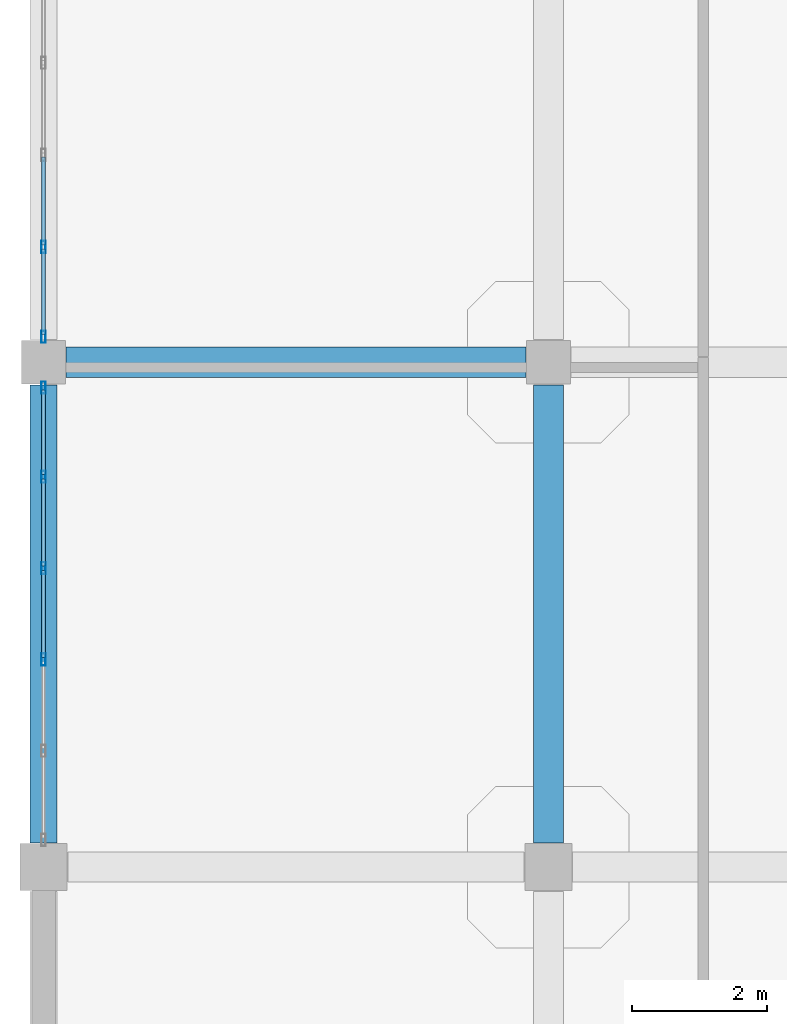
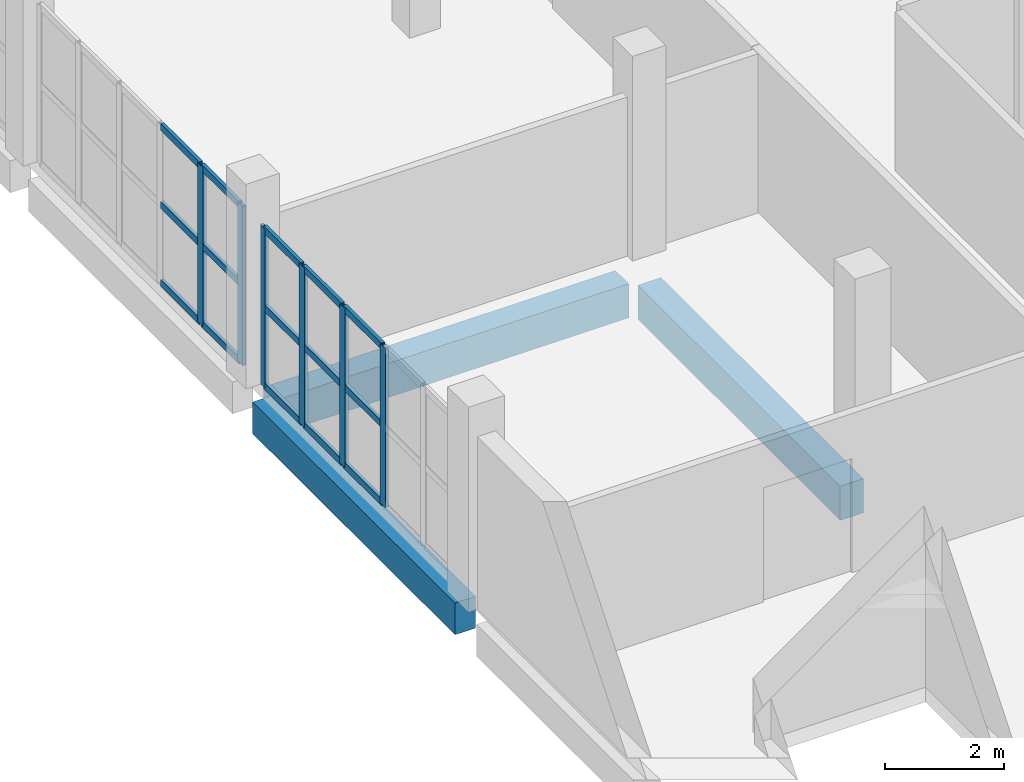
# One storey, part 35 of 164: 21 members, 3 beams, 2 elements without a shape of their own.
"""IFC4 building model written with IfcOpenShell, lengths in metres."""

from ifc_helpers import new_model, si_unit, direction, frame, origin, origin_2d, place, context, subcontext, project, spatial, rectangle, hollow_rectangle, extrude, material, layer, layer_set, material_profile, profile_set, type_object, element, aggregate, save


model = new_model("IFC4")

# Units and contexts
model_context = context("Model", 3, precision=1e-05, world=origin(), true_north=direction((0.0, 1.0)))
body_context = subcontext(model_context, "Body", "Model", "MODEL_VIEW")
ifc_project = project(units=[si_unit("LENGTHUNIT", "METRE"), si_unit("AREAUNIT", "SQUARE_METRE"), si_unit("VOLUMEUNIT", "CUBIC_METRE"), si_unit("PLANEANGLEUNIT", "RADIAN"), si_unit("MASSUNIT", "GRAM", prefix="KILO")], contexts=[model_context])

# Site, building, storey
site_placement = place(None, origin())
site = spatial("IfcSite", under=ifc_project, at=site_placement, CompositionType="ELEMENT")
building_placement = place(site_placement, origin())
building = spatial("IfcBuilding", under=site, at=building_placement, Name="Mawjan Specialist Oncology Clinic", CompositionType="ELEMENT")
storey_placement = place(building_placement, frame((0.0, 0.0, 5.0)))
storey = spatial("IfcBuildingStorey", under=building, at=storey_placement, Name="L01", CompositionType="ELEMENT", Elevation=5.0)

# Beams
ifc_material_1 = material(Name="Concrete C40/50", Category="concrete")
ifc_material_profile_1 = material_profile(ifc_material_1, rectangle(XDim=0.449951171875, YDim=0.699951171875, at=origin_2d()), Name="RC BM 450x700", Category="concrete")
ifc_profile_set_1 = profile_set([ifc_material_profile_1], Name="Concrete C40/50")
beam_type_1 = type_object("IfcBeamType", Name="BM-450x700", PredefinedType="BEAM", material=ifc_profile_set_1)
beam_1_placement = place(storey_placement, frame((0.3349609375, 45.800048828125, -0.8701171875), z_axis=(1.0, 0.0, 0.0), x_axis=(0.0, 1.0, 0.0)))
element("IfcBeam", 1, at=beam_1_placement, inside=storey, type_object=beam_type_1, Name="L01 Collector Beam BM-L01-0256", PredefinedType="BEAM", context=body_context, shape_type="SweptSolid", body=[
    extrude(rectangle(XDim=0.449951171875, YDim=0.699951171875, at=origin_2d()), origin(), (0.0, 0.0, 1.0), 6.830078125),
])
beam_2_placement = place(storey_placement, frame((7.5, 38.659912109375, -0.8701171875), z_axis=(0.0, 1.0, 0.0), x_axis=(-1.0, 0.0, 0.0)))
element("IfcBeam", 2, at=beam_2_placement, inside=storey, type_object=beam_type_1, Name="L01 Collector Beam BM-L01-0432", PredefinedType="BEAM", context=body_context, shape_type="SweptSolid", body=[
    extrude(rectangle(XDim=0.449951171875, YDim=0.699951171875, at=origin_2d()), origin(), (0.0, 0.0, 1.0), 6.80517578125),
])

# Curtain wall, members
ifc_material_2 = material(Name="Unitised spectrally selective aluminium curtain wall", Category="aluminium")
ifc_layer_1 = layer(ifc_material_2, 0.179931640625, Name="Unitised spectrally selective aluminium curtain wall", Category="aluminium")
ifc_layer_set_1 = layer_set([ifc_layer_1], Name="Unitised spectrally selective aluminium curtain wall")
curtain_wall_type_1 = type_object("IfcCurtainWallType", Name="CW-74", PredefinedType="NOTDEFINED", material=ifc_layer_set_1)
curtain_wall_1_placement = place(storey_placement, origin())
curtain_wall_1 = element("IfcCurtainWall", 3, at=curtain_wall_1_placement, inside=storey, type_object=curtain_wall_type_1, Name="L01 Unitised Curtain Wall CW-L01-147", PredefinedType="NOTDEFINED")
ifc_material_3 = material(Name="Thermally broken aluminium 6063-T6", Category="aluminium")
ifc_material_profile_2 = material_profile(ifc_material_3, hollow_rectangle(XDim=0.06494140625, YDim=0.179931640625, WallThickness=0.00390625, at=origin_2d()), Name="ALU MULLION 180x65x4", Category="aluminium")
ifc_profile_set_2 = profile_set([ifc_material_profile_2], Name="Thermally broken aluminium 6063-T6")
member_type_1 = type_object("IfcMemberType", Name="CW-M180", PredefinedType="MULLION", material=ifc_profile_set_2)
member_1_placement = place(storey_placement, frame((0.0, 41.384033203125, 0.0), z_axis=(0.0, 0.0, 1.0), x_axis=(-1.0, 0.0, 0.0)))
member_1 = element("IfcMember", 4, at=member_1_placement, type_object=member_type_1, Name="CW-74 mullion 3", PredefinedType="MULLION", context=body_context, shape_type="SweptSolid", body=[
    extrude(hollow_rectangle(XDim=0.06494140625, YDim=0.179931640625, WallThickness=0.00390625, at=origin_2d()), origin(), (0.0, 0.0, 1.0), 3.264892578125),
])
member_2_placement = place(storey_placement, frame((0.0, 42.740966796875, 0.0), z_axis=(0.0, 0.0, 1.0), x_axis=(-1.0, 0.0, 0.0)))
member_2 = element("IfcMember", 5, at=member_2_placement, type_object=member_type_1, Name="CW-74 mullion 4", PredefinedType="MULLION", context=body_context, shape_type="SweptSolid", body=[
    extrude(hollow_rectangle(XDim=0.06494140625, YDim=0.179931640625, WallThickness=0.00390625, at=origin_2d()), origin(), (0.0, 0.0, 1.0), 3.264892578125),
])
member_3_placement = place(storey_placement, frame((0.0, 44.097900390625, 0.0), z_axis=(0.0, 0.0, 1.0), x_axis=(-1.0, 0.0, 0.0)))
member_3 = element("IfcMember", 6, at=member_3_placement, type_object=member_type_1, Name="CW-74 mullion 5", PredefinedType="MULLION", context=body_context, shape_type="SweptSolid", body=[
    extrude(hollow_rectangle(XDim=0.06494140625, YDim=0.179931640625, WallThickness=0.00390625, at=origin_2d()), origin(), (0.0, 0.0, 1.0), 3.264892578125),
])
member_4_placement = place(storey_placement, frame((0.0, 45.422607421875, 0.0), z_axis=(0.0, 0.0, 1.0), x_axis=(-1.0, 0.0, 0.0)))
member_4 = element("IfcMember", 7, at=member_4_placement, type_object=member_type_1, Name="CW-74 mullion 6", PredefinedType="MULLION", context=body_context, shape_type="SweptSolid", body=[
    extrude(hollow_rectangle(XDim=0.06494140625, YDim=0.179931640625, WallThickness=0.00390625, at=origin_2d()), origin(), (0.0, 0.0, 1.0), 3.264892578125),
])

ifc_material_4 = material(Name="Unitised spectrally selective aluminium curtain wall", Category="aluminium")
ifc_layer_2 = layer(ifc_material_4, 0.179931640625, Name="Unitised spectrally selective aluminium curtain wall", Category="aluminium")
ifc_layer_set_2 = layer_set([ifc_layer_2], Name="Unitised spectrally selective aluminium curtain wall")
curtain_wall_type_2 = type_object("IfcCurtainWallType", Name="CW-75", PredefinedType="NOTDEFINED", material=ifc_layer_set_2)
curtain_wall_2_placement = place(storey_placement, origin())
curtain_wall_2 = element("IfcCurtainWall", 8, at=curtain_wall_2_placement, inside=storey, type_object=curtain_wall_type_2, Name="L01 Unitised Curtain Wall CW-L01-148", PredefinedType="NOTDEFINED")
member_5_placement = place(storey_placement, frame((0.0, 46.177490234375, 0.0), z_axis=(0.0, 0.0, 1.0), x_axis=(-1.0, 0.0, 0.0)))
member_5 = element("IfcMember", 9, at=member_5_placement, type_object=member_type_1, Name="CW-75 mullion 1", PredefinedType="MULLION", context=body_context, shape_type="SweptSolid", body=[
    extrude(hollow_rectangle(XDim=0.06494140625, YDim=0.179931640625, WallThickness=0.00390625, at=origin_2d()), origin(), (0.0, 0.0, 1.0), 3.264892578125),
])
member_6_placement = place(storey_placement, frame((0.0, 47.511962890625, 0.0), z_axis=(0.0, 0.0, 1.0), x_axis=(-1.0, 0.0, 0.0)))
member_6 = element("IfcMember", 10, at=member_6_placement, type_object=member_type_1, Name="CW-75 mullion 2", PredefinedType="MULLION", context=body_context, shape_type="SweptSolid", body=[
    extrude(hollow_rectangle(XDim=0.06494140625, YDim=0.179931640625, WallThickness=0.00390625, at=origin_2d()), origin(), (0.0, 0.0, 1.0), 3.264892578125),
])

# Member
ifc_material_5 = material(Name="Thermally broken aluminium 6063-T6", Category="aluminium")
ifc_material_profile_3 = material_profile(ifc_material_5, hollow_rectangle(XDim=0.06494140625, YDim=0.139892578125, WallThickness=0.00390625, at=origin_2d()), Name="ALU TRANSOM 140x65x4", Category="aluminium")
ifc_profile_set_3 = profile_set([ifc_material_profile_3], Name="Thermally broken aluminium 6063-T6")
member_type_2 = type_object("IfcMemberType", Name="CW-T140", PredefinedType="USERDEFINED", material=ifc_profile_set_3)
member_7_placement = place(storey_placement, frame((0.0, 41.41650390625, 0.032470703125), z_axis=(0.0, 1.0, 0.0), x_axis=(-1.0, 0.0, 0.0)))
member_7 = element("IfcMember", 11, at=member_7_placement, type_object=member_type_2, Name="CW-74 transom 3.1", ObjectType="TRANSOM", PredefinedType="USERDEFINED", context=body_context, shape_type="SweptSolid", body=[
    extrude(hollow_rectangle(XDim=0.06494140625, YDim=0.139892578125, WallThickness=0.00390625, at=origin_2d()), origin(), (0.0, 0.0, 1.0), 1.2919921875),
])

member_8_placement = place(storey_placement, frame((0.0, 41.41650390625, 1.632568359375), z_axis=(0.0, 1.0, 0.0), x_axis=(-1.0, 0.0, 0.0)))
member_8 = element("IfcMember", 12, at=member_8_placement, type_object=member_type_2, Name="CW-74 transom 3.2", ObjectType="TRANSOM", PredefinedType="USERDEFINED", context=body_context, shape_type="SweptSolid", body=[
    extrude(hollow_rectangle(XDim=0.06494140625, YDim=0.139892578125, WallThickness=0.00390625, at=origin_2d()), origin(), (0.0, 0.0, 1.0), 1.2919921875),
])

member_9_placement = place(storey_placement, frame((0.0, 41.41650390625, 3.232421875), z_axis=(0.0, 1.0, 0.0), x_axis=(-1.0, 0.0, 0.0)))
member_9 = element("IfcMember", 13, at=member_9_placement, type_object=member_type_2, Name="CW-74 transom 3.3", ObjectType="TRANSOM", PredefinedType="USERDEFINED", context=body_context, shape_type="SweptSolid", body=[
    extrude(hollow_rectangle(XDim=0.06494140625, YDim=0.139892578125, WallThickness=0.00390625, at=origin_2d()), origin(), (0.0, 0.0, 1.0), 1.2919921875),
])

member_10_placement = place(storey_placement, frame((0.0, 42.7734375, 0.032470703125), z_axis=(0.0, 1.0, 0.0), x_axis=(-1.0, 0.0, 0.0)))
member_10 = element("IfcMember", 14, at=member_10_placement, type_object=member_type_2, Name="CW-74 transom 4.1", ObjectType="TRANSOM", PredefinedType="USERDEFINED", context=body_context, shape_type="SweptSolid", body=[
    extrude(hollow_rectangle(XDim=0.06494140625, YDim=0.139892578125, WallThickness=0.00390625, at=origin_2d()), origin(), (0.0, 0.0, 1.0), 1.2919921875),
])

member_11_placement = place(storey_placement, frame((0.0, 42.7734375, 1.632568359375), z_axis=(0.0, 1.0, 0.0), x_axis=(-1.0, 0.0, 0.0)))
member_11 = element("IfcMember", 15, at=member_11_placement, type_object=member_type_2, Name="CW-74 transom 4.2", ObjectType="TRANSOM", PredefinedType="USERDEFINED", context=body_context, shape_type="SweptSolid", body=[
    extrude(hollow_rectangle(XDim=0.06494140625, YDim=0.139892578125, WallThickness=0.00390625, at=origin_2d()), origin(), (0.0, 0.0, 1.0), 1.2919921875),
])

member_12_placement = place(storey_placement, frame((0.0, 42.7734375, 3.232421875), z_axis=(0.0, 1.0, 0.0), x_axis=(-1.0, 0.0, 0.0)))
member_12 = element("IfcMember", 16, at=member_12_placement, type_object=member_type_2, Name="CW-74 transom 4.3", ObjectType="TRANSOM", PredefinedType="USERDEFINED", context=body_context, shape_type="SweptSolid", body=[
    extrude(hollow_rectangle(XDim=0.06494140625, YDim=0.139892578125, WallThickness=0.00390625, at=origin_2d()), origin(), (0.0, 0.0, 1.0), 1.2919921875),
])

member_13_placement = place(storey_placement, frame((0.0, 44.130615234375, 0.032470703125), z_axis=(0.0, 1.0, 0.0), x_axis=(-1.0, 0.0, 0.0)))
member_13 = element("IfcMember", 17, at=member_13_placement, type_object=member_type_2, Name="CW-74 transom 5.1", ObjectType="TRANSOM", PredefinedType="USERDEFINED", context=body_context, shape_type="SweptSolid", body=[
    extrude(hollow_rectangle(XDim=0.06494140625, YDim=0.139892578125, WallThickness=0.00390625, at=origin_2d()), origin(), (0.0, 0.0, 1.0), 1.25927734375),
])

member_14_placement = place(storey_placement, frame((0.0, 44.130615234375, 1.632568359375), z_axis=(0.0, 1.0, 0.0), x_axis=(-1.0, 0.0, 0.0)))
member_14 = element("IfcMember", 18, at=member_14_placement, type_object=member_type_2, Name="CW-74 transom 5.2", ObjectType="TRANSOM", PredefinedType="USERDEFINED", context=body_context, shape_type="SweptSolid", body=[
    extrude(hollow_rectangle(XDim=0.06494140625, YDim=0.139892578125, WallThickness=0.00390625, at=origin_2d()), origin(), (0.0, 0.0, 1.0), 1.25927734375),
])

member_15_placement = place(storey_placement, frame((0.0, 44.130615234375, 3.232421875), z_axis=(0.0, 1.0, 0.0), x_axis=(-1.0, 0.0, 0.0)))
member_15 = element("IfcMember", 19, at=member_15_placement, type_object=member_type_2, Name="CW-74 transom 5.3", ObjectType="TRANSOM", PredefinedType="USERDEFINED", context=body_context, shape_type="SweptSolid", body=[
    extrude(hollow_rectangle(XDim=0.06494140625, YDim=0.139892578125, WallThickness=0.00390625, at=origin_2d()), origin(), (0.0, 0.0, 1.0), 1.25927734375),
])

aggregate(curtain_wall_1, [member_1, member_2, member_3, member_4, member_7, member_8, member_9, member_10, member_11, member_12, member_13, member_14, member_15])

member_16_placement = place(storey_placement, frame((0.0, 46.2099609375, 0.032470703125), z_axis=(0.0, 1.0, 0.0), x_axis=(-1.0, 0.0, 0.0)))
member_16 = element("IfcMember", 20, at=member_16_placement, type_object=member_type_2, Name="CW-75 transom 1.1", ObjectType="TRANSOM", PredefinedType="USERDEFINED", context=body_context, shape_type="SweptSolid", body=[
    extrude(hollow_rectangle(XDim=0.06494140625, YDim=0.139892578125, WallThickness=0.00390625, at=origin_2d()), origin(), (0.0, 0.0, 1.0), 1.26953125),
])

member_17_placement = place(storey_placement, frame((0.0, 46.2099609375, 1.632568359375), z_axis=(0.0, 1.0, 0.0), x_axis=(-1.0, 0.0, 0.0)))
member_17 = element("IfcMember", 21, at=member_17_placement, type_object=member_type_2, Name="CW-75 transom 1.2", ObjectType="TRANSOM", PredefinedType="USERDEFINED", context=body_context, shape_type="SweptSolid", body=[
    extrude(hollow_rectangle(XDim=0.06494140625, YDim=0.139892578125, WallThickness=0.00390625, at=origin_2d()), origin(), (0.0, 0.0, 1.0), 1.26953125),
])

member_18_placement = place(storey_placement, frame((0.0, 46.2099609375, 3.232421875), z_axis=(0.0, 1.0, 0.0), x_axis=(-1.0, 0.0, 0.0)))
member_18 = element("IfcMember", 22, at=member_18_placement, type_object=member_type_2, Name="CW-75 transom 1.3", ObjectType="TRANSOM", PredefinedType="USERDEFINED", context=body_context, shape_type="SweptSolid", body=[
    extrude(hollow_rectangle(XDim=0.06494140625, YDim=0.139892578125, WallThickness=0.00390625, at=origin_2d()), origin(), (0.0, 0.0, 1.0), 1.26953125),
])

member_19_placement = place(storey_placement, frame((0.0, 47.54443359375, 0.032470703125), z_axis=(0.0, 1.0, 0.0), x_axis=(-1.0, 0.0, 0.0)))
member_19 = element("IfcMember", 23, at=member_19_placement, type_object=member_type_2, Name="CW-75 transom 2.1", ObjectType="TRANSOM", PredefinedType="USERDEFINED", context=body_context, shape_type="SweptSolid", body=[
    extrude(hollow_rectangle(XDim=0.06494140625, YDim=0.139892578125, WallThickness=0.00390625, at=origin_2d()), origin(), (0.0, 0.0, 1.0), 1.302001953125),
])

member_20_placement = place(storey_placement, frame((0.0, 47.54443359375, 1.632568359375), z_axis=(0.0, 1.0, 0.0), x_axis=(-1.0, 0.0, 0.0)))
member_20 = element("IfcMember", 24, at=member_20_placement, type_object=member_type_2, Name="CW-75 transom 2.2", ObjectType="TRANSOM", PredefinedType="USERDEFINED", context=body_context, shape_type="SweptSolid", body=[
    extrude(hollow_rectangle(XDim=0.06494140625, YDim=0.139892578125, WallThickness=0.00390625, at=origin_2d()), origin(), (0.0, 0.0, 1.0), 1.302001953125),
])

member_21_placement = place(storey_placement, frame((0.0, 47.54443359375, 3.232421875), z_axis=(0.0, 1.0, 0.0), x_axis=(-1.0, 0.0, 0.0)))
member_21 = element("IfcMember", 25, at=member_21_placement, type_object=member_type_2, Name="CW-75 transom 2.3", ObjectType="TRANSOM", PredefinedType="USERDEFINED", context=body_context, shape_type="SweptSolid", body=[
    extrude(hollow_rectangle(XDim=0.06494140625, YDim=0.139892578125, WallThickness=0.00390625, at=origin_2d()), origin(), (0.0, 0.0, 1.0), 1.302001953125),
])

aggregate(curtain_wall_2, [member_5, member_6, member_16, member_17, member_18, member_19, member_20, member_21])

# Beam
ifc_material_6 = material(Name="Concrete C45/55", Category="concrete")
ifc_material_profile_4 = material_profile(ifc_material_6, rectangle(XDim=0.39990234375, YDim=0.64990234375, at=origin_2d()), Name="RC BM 400x650", Category="concrete")
ifc_profile_set_4 = profile_set([ifc_material_profile_4], Name="Concrete C45/55")
beam_type_2 = type_object("IfcBeamType", Name="SP-400x650", PredefinedType="SPANDREL", material=ifc_profile_set_4)
beam_3_placement = place(storey_placement, frame((0.0, 38.659912109375, -0.625), z_axis=(0.0, 1.0, 0.0), x_axis=(-1.0, 0.0, 0.0)))
element("IfcBeam", 26, at=beam_3_placement, inside=storey, type_object=beam_type_2, Name="L01 Spandrel Beam BM-L01-0423", PredefinedType="SPANDREL", context=body_context, shape_type="SweptSolid", body=[
    extrude(rectangle(XDim=0.39990234375, YDim=0.64990234375, at=origin_2d()), origin(), (0.0, 0.0, 1.0), 6.80517578125),
])

save(model, "model.ifc")
